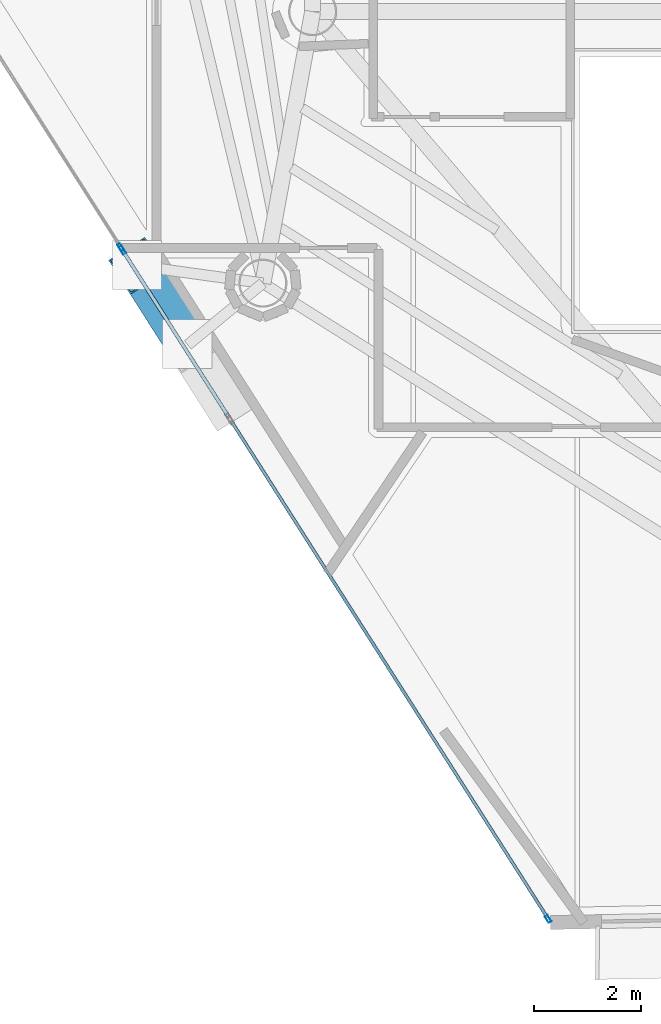
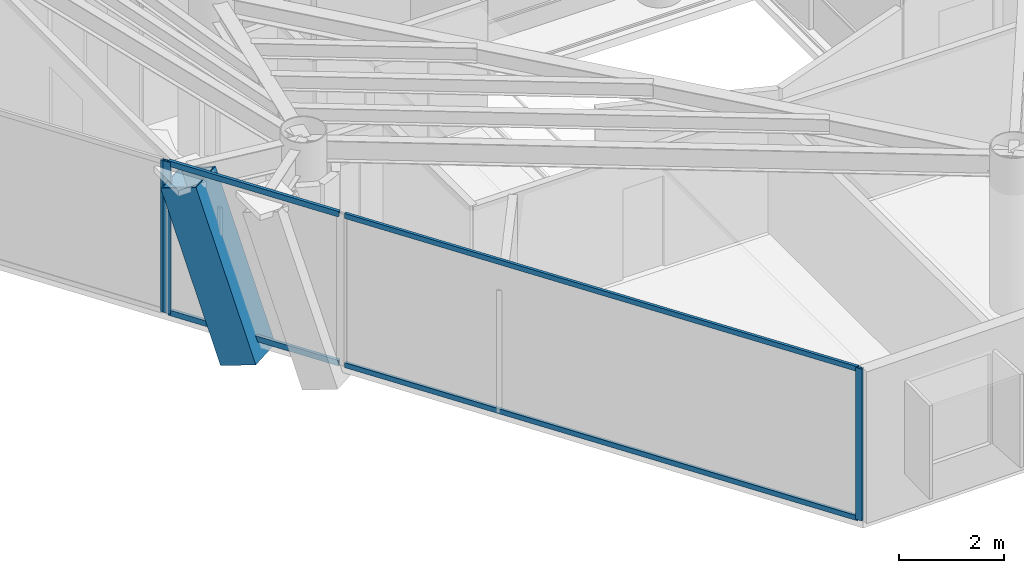
# One storey, part 2 of 25: 8 members, 3 elements without a shape of their own.
"""IFC4 building model written with IfcOpenShell, lengths in metres."""

import ifcopenshell
import ifcopenshell.guid

model = None  # the IFC model being written
_history = None  # IfcOwnerHistory: only IFC2X3 demands one
_inside = {}  # id of a spatial element -> (the spatial element, [elements in it])
_under = {}  # id of a project, library or spatial element -> (it, [spatial elements below it])
_declared = {}  # id of a project -> (the project, [libraries it declares])
_typed = {}  # id of a type object -> (the type object, [elements of that type])
_made_of = {}  # id of a material, layer set ... -> (it, [elements and type objects made of it])


def new_model(schema):
    """Start an empty IFC model of exactly this schema.

    Asked for "IFC4X3", IfcOpenShell would pick the latest addendum, in which some entities
    have other attributes; the version numbers below select the first issue.
    IFC2X3 requires an IfcOwnerHistory on every rooted entity: one is made here for all.
    """
    global model, _history
    if schema == "IFC4X3":
        model = ifcopenshell.file(schema_version=(4, 3, 0, 0))
    else:
        model = ifcopenshell.file(schema=schema)
    _inside.clear()
    _under.clear()
    _declared.clear()
    _typed.clear()
    _made_of.clear()
    _history = None
    if model.schema == "IFC2X3":
        org = make("IfcOrganization", Name="unknown")
        user = make(
            "IfcPersonAndOrganization",
            ThePerson=make("IfcPerson", FamilyName="unknown"),
            TheOrganization=org,
        )
        app = make(
            "IfcApplication",
            ApplicationDeveloper=org,
            Version="unknown",
            ApplicationFullName="unknown",
            ApplicationIdentifier="unknown",
        )
        _history = make(
            "IfcOwnerHistory",
            OwningUser=user,
            OwningApplication=app,
            ChangeAction="ADDED",
            CreationDate=0,
        )
    return model


def make(cls, **values):
    """One entity of the class cls with the attributes given. An attribute that is None is left unset."""
    return model.create_entity(
        cls, **{name: value for name, value in values.items() if value is not None}
    )


def rooted(cls, **values):
    """An entity with a GlobalId (a new one), such as an element, a storey or a relation."""
    return make(cls, GlobalId=ifcopenshell.guid.new(), OwnerHistory=_history, **values)


def si_unit(unit_type, name, prefix=None):
    """IfcSIUnit, for example si_unit("LENGTHUNIT", "METRE", prefix="MILLI")."""
    return make("IfcSIUnit", UnitType=unit_type, Prefix=prefix, Name=name)


def assignment(units):
    """IfcUnitAssignment: the units of a project."""
    return None if units is None else make("IfcUnitAssignment", Units=units)


def point(xyz):
    """IfcCartesianPoint."""
    return None if xyz is None else make("IfcCartesianPoint", Coordinates=xyz)


def direction(xyz):
    """IfcDirection."""
    return None if xyz is None else make("IfcDirection", DirectionRatios=xyz)


def frame(location, z_axis=None, x_axis=None):
    """IfcAxis2Placement3D, a coordinate frame: its origin and axes. An axis left out is left unset."""
    return make(
        "IfcAxis2Placement3D",
        Location=point(location),
        Axis=direction(z_axis),
        RefDirection=direction(x_axis),
    )


def frame_2d(location, x_axis=None):
    """IfcAxis2Placement2D, a coordinate frame in the plane: its origin and x axis."""
    return make(
        "IfcAxis2Placement2D", Location=point(location), RefDirection=direction(x_axis)
    )


def origin():
    """The frame at (0, 0, 0) with its axes left unset."""
    return frame((0.0, 0.0, 0.0))


def origin_2d():
    """The frame at (0, 0) in the plane with its x axis left unset."""
    return frame_2d((0.0, 0.0))


def place(relative_to, where):
    """IfcLocalPlacement: puts the frame where relative to a parent placement (None: the world)."""
    return make(
        "IfcLocalPlacement", PlacementRelTo=relative_to, RelativePlacement=where
    )


def context(
    kind, dimensions, precision=None, world=None, true_north=None, identifier=None
):
    """IfcGeometricRepresentationContext, for example the 3D "Model" context."""
    return make(
        "IfcGeometricRepresentationContext",
        ContextIdentifier=identifier,
        ContextType=kind,
        CoordinateSpaceDimension=dimensions,
        Precision=precision,
        WorldCoordinateSystem=world,
        TrueNorth=true_north,
    )


def subcontext(parent, identifier, kind, view, scale=None):
    """IfcGeometricRepresentationSubContext, for example "Body" below "Model"."""
    return make(
        "IfcGeometricRepresentationSubContext",
        ContextIdentifier=identifier,
        ContextType=kind,
        ParentContext=parent,
        TargetScale=scale,
        TargetView=view,
    )


def project(units=None, contexts=None):
    """IfcProject with its units and contexts."""
    return rooted(
        "IfcProject",
        Name="project",
        RepresentationContexts=contexts,
        UnitsInContext=assignment(units),
    )


def spatial(cls, under=None, at=None, **own):
    """A site, building, storey or space (cls), placed at a placement, below another one or the project."""
    s = rooted(cls, ObjectPlacement=at, **own)
    if under is not None:
        _under.setdefault(under.id(), (under, []))[1].append(s)
    return s


def profile(cls, at=None, kind="AREA", **sizes):
    """A parametric profile (cls). Its sizes go by their IFC names, for example OverallWidth=200.0."""
    return make(cls, ProfileType=kind, Position=at, **sizes)


def hollow_rectangle(**sizes):
    """IfcRectangleHollowProfileDef."""
    return profile("IfcRectangleHollowProfileDef", **sizes)


def extrude(swept, where, along, depth):
    """IfcExtrudedAreaSolid: the profile swept, set in the frame where, extruded along a direction by depth."""
    return make(
        "IfcExtrudedAreaSolid",
        SweptArea=swept,
        Position=where,
        ExtrudedDirection=direction(along),
        Depth=depth,
    )


def shape(context_of_items, identifier, shape_type, items):
    """IfcShapeRepresentation: the items that make up one representation, for example the "Body"."""
    return make(
        "IfcShapeRepresentation",
        ContextOfItems=context_of_items,
        RepresentationIdentifier=identifier,
        RepresentationType=shape_type,
        Items=items,
    )


def material(Name=None, Category=None):
    """IfcMaterial."""
    return make("IfcMaterial", Name=Name, Category=Category)


def layer(
    of_material, thickness, ventilated=None, Name=None, Category=None, Priority=None
):
    """IfcMaterialLayer: one layer of a wall or slab, of a material (None: an air gap)."""
    return make(
        "IfcMaterialLayer",
        Material=of_material,
        LayerThickness=thickness,
        IsVentilated=ventilated,
        Name=Name,
        Category=Category,
        Priority=Priority,
    )


def layer_set(layers, Name=None):
    """IfcMaterialLayerSet."""
    return make("IfcMaterialLayerSet", MaterialLayers=layers, LayerSetName=Name)


def material_profile(
    of_material, cross_section, Name=None, Category=None, Priority=None
):
    """IfcMaterialProfile: a cross section and its material."""
    return make(
        "IfcMaterialProfile",
        Name=Name,
        Material=of_material,
        Profile=cross_section,
        Priority=Priority,
        Category=Category,
    )


def profile_set(profiles, Name=None, composite=None):
    """IfcMaterialProfileSet."""
    return make(
        "IfcMaterialProfileSet",
        Name=Name,
        MaterialProfiles=profiles,
        CompositeProfile=composite,
    )


def made_of(thing, what):
    """Note that an element or type object is made of a material, layer set ...; save() writes the relation."""
    if what is not None:
        _made_of.setdefault(what.id(), (what, []))[1].append(thing)
    return thing


def type_object(cls, material=None, **own):
    """A type object (cls), such as IfcWallType, which elements share."""
    return made_of(rooted(cls, **own), material)


def element(
    cls,
    number,
    at=None,
    inside=None,
    cuts=None,
    type_object=None,
    material=None,
    context=None,
    identifier="Body",
    shape_type=None,
    held_by="IfcProductDefinitionShape",
    body=None,
    shapes=None,
    **own,
):
    """One element of the class cls, such as IfcWall. Its Tag is "e" and its number.

    at: its placement. inside: the storey or other place that contains it. cuts: it is an
    opening in that element (IfcRelVoidsElement). A single representation is given by context,
    identifier, shape_type and body (its items); several are given by shapes. held_by: the class
    of the entity that holds the representations. save() writes the other relations.
    """
    e = rooted(cls, Tag="e%d" % number, ObjectPlacement=at, **own)
    if body is not None:
        shapes = [shape(context, identifier, shape_type, body)]
    if shapes is not None:
        e.Representation = make(held_by, Representations=shapes)
    if inside is not None:
        _inside.setdefault(inside.id(), (inside, []))[1].append(e)
    if cuts is not None:
        rooted(
            "IfcRelVoidsElement", RelatingBuildingElement=cuts, RelatedOpeningElement=e
        )
    if type_object is not None:
        _typed.setdefault(type_object.id(), (type_object, []))[1].append(e)
    return made_of(e, material)


def aggregate(whole, parts):
    """IfcRelAggregates: a whole, such as a stair, and the parts it consists of."""
    return rooted("IfcRelAggregates", RelatingObject=whole, RelatedObjects=parts)


def save(model, path):
    """Write the relations noted so far, then the file.

    IfcRelAggregates (storeys below a building ...), IfcRelContainedInSpatialStructure (elements
    in a storey), IfcRelDefinesByType, IfcRelAssociatesMaterial and IfcRelDeclares: one each for
    every whole, place, type object, material and project.
    """
    for whole, parts in _under.values():
        aggregate(whole, parts)
    for where, things in _inside.values():
        rooted(
            "IfcRelContainedInSpatialStructure",
            RelatedElements=things,
            RelatingStructure=where,
        )
    for kind, things in _typed.values():
        rooted("IfcRelDefinesByType", RelatedObjects=things, RelatingType=kind)
    for what, things in _made_of.values():
        rooted("IfcRelAssociatesMaterial", RelatedObjects=things, RelatingMaterial=what)
    for by, libraries in _declared.values():
        rooted("IfcRelDeclares", RelatingContext=by, RelatedDefinitions=libraries)
    model.write(path)


model = new_model("IFC4")

# Units and contexts
model_context = context("Model", 3, precision=1e-05, world=origin(), true_north=direction((0.0, 1.0)))
body_context = subcontext(model_context, "Body", "Model", "MODEL_VIEW")
ifc_project = project(units=[si_unit("LENGTHUNIT", "METRE"), si_unit("AREAUNIT", "SQUARE_METRE"), si_unit("VOLUMEUNIT", "CUBIC_METRE"), si_unit("PLANEANGLEUNIT", "RADIAN"), si_unit("MASSUNIT", "GRAM", prefix="KILO")], contexts=[model_context])

# Site, building, storey
site_placement = place(None, origin())
site = spatial("IfcSite", under=ifc_project, at=site_placement, CompositionType="ELEMENT")
building_placement = place(site_placement, origin())
building = spatial("IfcBuilding", under=site, at=building_placement, Name="Qianvela Tower", CompositionType="ELEMENT")
storey_placement = place(building_placement, frame((0.0, 0.0, 288.0)))
storey = spatial("IfcBuildingStorey", under=building, at=storey_placement, Name="L74", CompositionType="ELEMENT", Elevation=288.0)

# Curtain wall, members
ifc_material_1 = material(Name="Anodised Architectural Aluminium and Insulated Spandrel Panel", Category="aluminium")
ifc_layer_1 = layer(ifc_material_1, 0.179931640625)
ifc_layer_set_1 = layer_set([ifc_layer_1], Name="Anodised Architectural Aluminium and Insulated Spandrel Panel")
curtain_wall_type_1 = type_object("IfcCurtainWallType", Name="CW-BRACEBAY", PredefinedType="USERDEFINED", material=ifc_layer_set_1)
curtain_wall_1_placement = place(storey_placement, origin())
curtain_wall_1 = element("IfcCurtainWall", 1, at=curtain_wall_1_placement, inside=storey, type_object=curtain_wall_type_1, Name="L74 CW-BRACEBAY Curtain Wall 04B", ObjectType="CURTAIN_WALL_SYSTEM", PredefinedType="USERDEFINED")
ifc_material_2 = material(Name="Anodised Architectural Aluminium 6063-T6", Category="aluminium")
ifc_material_profile_1 = material_profile(ifc_material_2, hollow_rectangle(XDim=0.06494140625, YDim=0.159912109375, WallThickness=0.0048828125, at=origin_2d()), Name="ALU-MULL-65x160")
ifc_profile_set_1 = profile_set([ifc_material_profile_1], Name="Anodised Architectural Aluminium 6063-T6")
member_type_1 = type_object("IfcMemberType", Name="CW-BRACEBAY-MULL", PredefinedType="MULLION", material=ifc_profile_set_1)
member_1_placement = place(storey_placement, frame((25.04345703125, 19.39306640625, 0.0), z_axis=(0.0, 0.0, 1.0), x_axis=(0.843593943243, 0.536981618794, 0.0)))
member_1 = element("IfcMember", 2, at=member_1_placement, type_object=member_type_1, Name="CW-9 mullion 1", PredefinedType="MULLION", context=body_context, shape_type="SweptSolid", body=[
    extrude(hollow_rectangle(XDim=0.06494140625, YDim=0.159912109375, WallThickness=0.0048828125, at=origin_2d()), origin(), (0.0, 0.0, 1.0), 3.52001953125),
])
ifc_material_3 = material(Name="Anodised Architectural Aluminium 6063-T6", Category="aluminium")
ifc_material_profile_2 = material_profile(ifc_material_3, hollow_rectangle(XDim=0.06494140625, YDim=0.1298828125, WallThickness=0.00439453125, at=origin_2d()), Name="ALU-TRAN-65x130")
ifc_profile_set_2 = profile_set([ifc_material_profile_2], Name="Anodised Architectural Aluminium 6063-T6")
member_type_2 = type_object("IfcMemberType", Name="CW-BRACEBAY-TRAN", PredefinedType="USERDEFINED", material=ifc_profile_set_2)
member_2_placement = place(storey_placement, frame((25.06103515625, 19.36572265625, 0.032470703125), z_axis=(0.536979361736, -0.843595379948, 0.0), x_axis=(0.843595379948, 0.536979361736, 0.0)))
member_2 = element("IfcMember", 3, at=member_2_placement, type_object=member_type_2, Name="CW-9 transom 1.1", ObjectType="TRANSOM", PredefinedType="USERDEFINED", context=body_context, shape_type="SweptSolid", body=[
    extrude(hollow_rectangle(XDim=0.06494140625, YDim=0.1298828125, WallThickness=0.00439453125, at=origin_2d()), origin(), (0.0, 0.0, 1.0), 3.64990234375),
])
member_3_placement = place(storey_placement, frame((25.06103515625, 19.36572265625, 3.487548828125), z_axis=(0.536979361736, -0.843595379948, 0.0), x_axis=(0.843595379948, 0.536979361736, 0.0)))
member_3 = element("IfcMember", 4, at=member_3_placement, type_object=member_type_2, Name="CW-9 transom 1.2", ObjectType="TRANSOM", PredefinedType="USERDEFINED", context=body_context, shape_type="SweptSolid", body=[
    extrude(hollow_rectangle(XDim=0.06494140625, YDim=0.1298828125, WallThickness=0.00439453125, at=origin_2d()), origin(), (0.0, 0.0, 1.0), 3.64990234375),
])
aggregate(curtain_wall_1, [member_1, member_2, member_3])

# Curtain wall, member
ifc_material_4 = material(Name="Anodised Architectural Aluminium and Low-E Glass", Category="aluminium")
ifc_layer_2 = layer(ifc_material_4, 0.14990234375)
ifc_layer_set_2 = layer_set([ifc_layer_2], Name="Anodised Architectural Aluminium and Low-E Glass")
curtain_wall_type_2 = type_object("IfcCurtainWallType", Name="CW-COLIV-Z78", PredefinedType="USERDEFINED", material=ifc_layer_set_2)
curtain_wall_2_placement = place(storey_placement, origin())
curtain_wall_2 = element("IfcCurtainWall", 5, at=curtain_wall_2_placement, inside=storey, type_object=curtain_wall_type_2, Name="L74 CW-COLIV-Z78 Curtain Wall 04A", ObjectType="CURTAIN_WALL_SYSTEM", PredefinedType="USERDEFINED")
ifc_material_5 = material(Name="Anodised Architectural Aluminium 6063-T6", Category="aluminium")
ifc_material_profile_3 = material_profile(ifc_material_5, hollow_rectangle(XDim=0.06005859375, YDim=0.139892578125, WallThickness=0.00439453125, at=origin_2d()), Name="ALU-MULL-60x140")
ifc_profile_set_3 = profile_set([ifc_material_profile_3], Name="Anodised Architectural Aluminium 6063-T6")
member_type_3 = type_object("IfcMemberType", Name="CW-COLIV-Z78-MULL", PredefinedType="MULLION", material=ifc_profile_set_3)
member_4_placement = place(storey_placement, frame((25.010009765625, 19.44580078125, 0.0), z_axis=(0.0, 0.0, 1.0), x_axis=(0.843577423445, 0.537007570388, 0.0)))
member_4 = element("IfcMember", 6, at=member_4_placement, type_object=member_type_3, Name="CW-6 mullion 3", PredefinedType="MULLION", context=body_context, shape_type="SweptSolid", body=[
    extrude(hollow_rectangle(XDim=0.06005859375, YDim=0.139892578125, WallThickness=0.00439453125, at=origin_2d()), origin(), (0.0, 0.0, 1.0), 3.52001953125),
])
aggregate(curtain_wall_2, [member_4])

# Curtain wall, members
curtain_wall_3_placement = place(storey_placement, origin())
curtain_wall_3 = element("IfcCurtainWall", 7, at=curtain_wall_3_placement, inside=storey, type_object=curtain_wall_type_2, Name="L74 CW-COLIV-Z78 Curtain Wall 04C", ObjectType="CURTAIN_WALL_SYSTEM", PredefinedType="USERDEFINED")
member_5_placement = place(storey_placement, frame((33.004150390625, 6.887939453125, 0.0), z_axis=(0.0, 0.0, 1.0), x_axis=(0.843576577393, 0.537008899436, 0.0)))
member_5 = element("IfcMember", 8, at=member_5_placement, type_object=member_type_3, Name="CW-6 mullion 2", PredefinedType="MULLION", context=body_context, shape_type="SweptSolid", body=[
    extrude(hollow_rectangle(XDim=0.06005859375, YDim=0.139892578125, WallThickness=0.00439453125, at=origin_2d()), origin(), (0.0, 0.0, 1.0), 3.52001953125),
])
ifc_material_6 = material(Name="Anodised Architectural Aluminium 6063-T6", Category="aluminium")
ifc_material_profile_4 = material_profile(ifc_material_6, hollow_rectangle(XDim=0.06005859375, YDim=0.114990234375, WallThickness=0.00390625, at=origin_2d()), Name="ALU-TRAN-60x115")
ifc_profile_set_4 = profile_set([ifc_material_profile_4], Name="Anodised Architectural Aluminium 6063-T6")
member_type_4 = type_object("IfcMemberType", Name="CW-COLIV-Z78-TRAN", PredefinedType="USERDEFINED", material=ifc_profile_set_4)
member_6_placement = place(storey_placement, frame((27.088134765625, 16.18115234375, 0.030029296875), z_axis=(0.537017836329, -0.843570888227, 0.0), x_axis=(0.843570888227, 0.537017836329, 0.0)))
member_6 = element("IfcMember", 9, at=member_6_placement, type_object=member_type_4, Name="CW-6 transom 1.1", ObjectType="TRANSOM", PredefinedType="USERDEFINED", context=body_context, shape_type="SweptSolid", body=[
    extrude(hollow_rectangle(XDim=0.06005859375, YDim=0.114990234375, WallThickness=0.00390625, at=origin_2d()), origin(), (0.0, 0.0, 1.0), 10.986328125),
])
member_7_placement = place(storey_placement, frame((27.088134765625, 16.18115234375, 3.489990234375), z_axis=(0.537017836329, -0.843570888227, 0.0), x_axis=(0.843570888227, 0.537017836329, 0.0)))
member_7 = element("IfcMember", 10, at=member_7_placement, type_object=member_type_4, Name="CW-6 transom 1.2", ObjectType="TRANSOM", PredefinedType="USERDEFINED", context=body_context, shape_type="SweptSolid", body=[
    extrude(hollow_rectangle(XDim=0.06005859375, YDim=0.114990234375, WallThickness=0.00390625, at=origin_2d()), origin(), (0.0, 0.0, 1.0), 10.986328125),
])
aggregate(curtain_wall_3, [member_5, member_6, member_7])

# Member
ifc_material_7 = material(Name="Steel Q420GJC", Category="steel")
ifc_material_profile_5 = material_profile(ifc_material_7, hollow_rectangle(XDim=0.800048828125, YDim=0.800048828125, WallThickness=0.028076171875, at=origin_2d()), Name="MBOX-800x800x28")
ifc_profile_set_5 = profile_set([ifc_material_profile_5], Name="Steel Q420GJC")
member_type_5 = type_object("IfcMemberType", Name="MBR-MBRACE-800", PredefinedType="BRACE", material=ifc_profile_set_5)
member_8_placement = place(storey_placement, frame((26.013916015625, 18.017822265625, -0.48193359375), z_axis=(-0.175709048848, 0.276034052254, 0.944950544817), x_axis=(-0.843590862668, -0.536986458324, 0.0)))
element("IfcMember", 11, at=member_8_placement, inside=storey, type_object=member_type_5, Name="L74 Tier 12 Exterior Mega-Brace F2A", PredefinedType="BRACE", context=body_context, shape_type="SweptSolid", body=[
    extrude(hollow_rectangle(XDim=0.800048828125, YDim=0.800048828125, WallThickness=0.028076171875, at=origin_2d()), origin(), (0.0, 0.0, 1.0), 3.91552734375),
])

save(model, "model.ifc")
